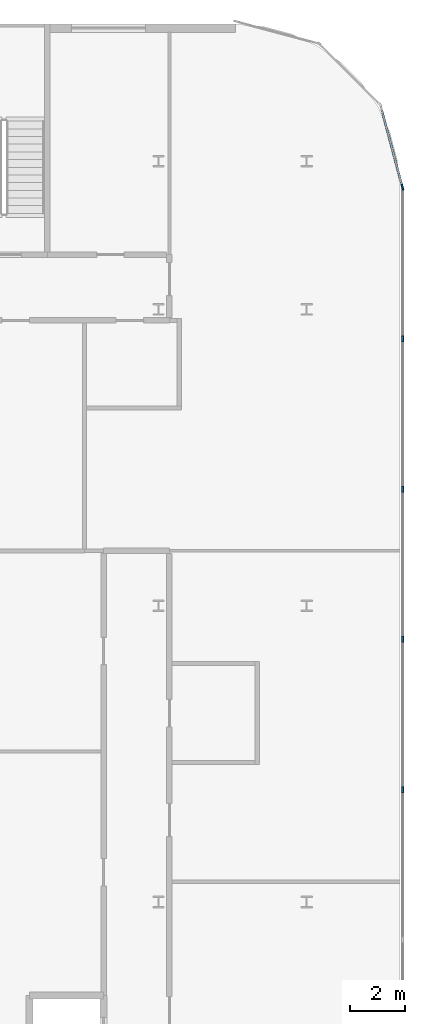
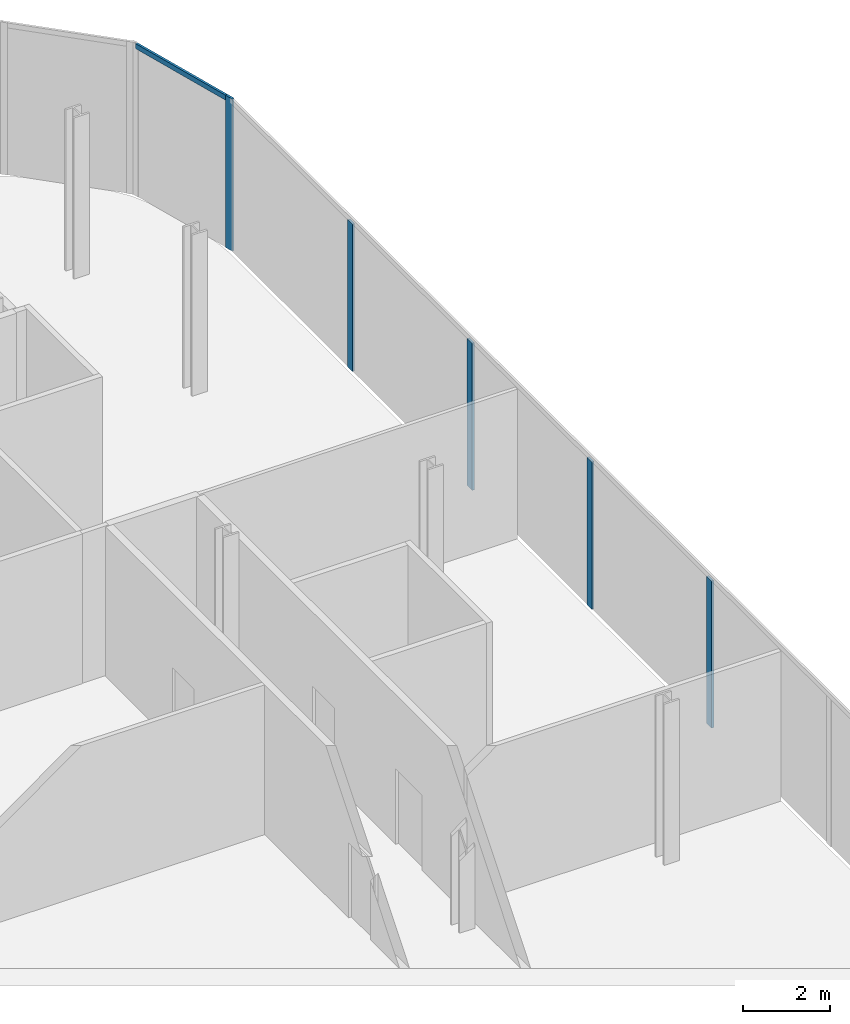
# One storey, part 21 of 47: 6 members, 2 elements without a shape of their own.
"""IFC4 building model written with IfcOpenShell, lengths in metres."""

from ifc_helpers import new_model, si_unit, direction, frame, origin, origin_2d, place, context, subcontext, project, spatial, rectangle, extrude, material, layer, layer_set, material_profile, profile_set, type_object, element, aggregate, save


model = new_model("IFC4")

# Units and contexts
model_context = context("Model", 3, precision=1e-05, world=origin(), true_north=direction((0.0, 1.0)))
body_context = subcontext(model_context, "Body", "Model", "MODEL_VIEW")
ifc_project = project(units=[si_unit("LENGTHUNIT", "METRE"), si_unit("AREAUNIT", "SQUARE_METRE"), si_unit("VOLUMEUNIT", "CUBIC_METRE"), si_unit("PLANEANGLEUNIT", "RADIAN"), si_unit("MASSUNIT", "GRAM", prefix="KILO")], contexts=[model_context])

# Site, building, storey
site_placement = place(None, origin())
site = spatial("IfcSite", under=ifc_project, at=site_placement, CompositionType="ELEMENT")
building_placement = place(site_placement, origin())
building = spatial("IfcBuilding", under=site, at=building_placement, Name="Kheshtan School and Residences Tower", CompositionType="ELEMENT")
storey_placement = place(building_placement, frame((0.0, 0.0, 17.0)))
storey = spatial("IfcBuildingStorey", under=building, at=storey_placement, Name="L03", CompositionType="ELEMENT", Elevation=17.0)

# Curtain wall, member
ifc_material_1 = material(Name="Clear low-e glass in thermally broken aluminium frame", Category="aluminium")
ifc_layer = layer(ifc_material_1, 0.22509765625)
ifc_layer_set = layer_set([ifc_layer], Name="Curtain wall CW-P")
curtain_wall_type = type_object("IfcCurtainWallType", Name="Curtain wall CW-P", PredefinedType="NOTDEFINED", material=ifc_layer_set)
curtain_wall_1_placement = place(storey_placement, origin())
curtain_wall_1 = element("IfcCurtainWall", 1, at=curtain_wall_1_placement, inside=storey, type_object=curtain_wall_type, Name="Curtain wall CWP7a", PredefinedType="NOTDEFINED")
ifc_material_2 = material(Name="Thermally broken aluminium, dark bronze anodised", Category="aluminium")
ifc_material_profile_1 = material_profile(ifc_material_2, rectangle(XDim=0.06005859375, YDim=0.22509765625, at=origin_2d()), Name="CW-P mullion 60x225")
ifc_profile_set_1 = profile_set([ifc_material_profile_1], Name="Thermally broken aluminium, dark bronze anodised")
member_type_1 = type_object("IfcMemberType", Name="CW-P mullion 60x225", PredefinedType="MULLION", material=ifc_profile_set_1)
member_1_placement = place(storey_placement, frame((132.0888671875, 104.054931640625, 0.0), z_axis=(0.0, 0.0, 1.0), x_axis=(0.965913556273, 0.258864833085, 0.0)))
member_1 = element("IfcMember", 2, at=member_1_placement, type_object=member_type_1, Name="CWP7a mullion 2", PredefinedType="MULLION", context=body_context, shape_type="SweptSolid", body=[
    extrude(rectangle(XDim=0.06005859375, YDim=0.22509765625, at=origin_2d()), origin(), (0.0, 0.0, 1.0), 4.25),
])

# Curtain wall, members
curtain_wall_2_placement = place(storey_placement, origin())
curtain_wall_2 = element("IfcCurtainWall", 3, at=curtain_wall_2_placement, inside=storey, type_object=curtain_wall_type, Name="Curtain wall CWP8a", PredefinedType="NOTDEFINED")
member_2_placement = place(storey_placement, frame((132.10009765625, 98.5244140625, 0.0), z_axis=(0.0, 0.0, 1.0), x_axis=(1.0, 0.0, 0.0)))
member_2 = element("IfcMember", 4, at=member_2_placement, type_object=member_type_1, Name="CWP8a mullion 2", PredefinedType="MULLION", context=body_context, shape_type="SweptSolid", body=[
    extrude(rectangle(XDim=0.06005859375, YDim=0.22509765625, at=origin_2d()), origin(), (0.0, 0.0, 1.0), 4.110107421875),
])
member_3_placement = place(storey_placement, frame((132.10009765625, 93.048828125, 0.0), z_axis=(0.0, 0.0, 1.0), x_axis=(1.0, 0.0, 0.0)))
member_3 = element("IfcMember", 5, at=member_3_placement, type_object=member_type_1, Name="CWP8a mullion 3", PredefinedType="MULLION", context=body_context, shape_type="SweptSolid", body=[
    extrude(rectangle(XDim=0.06005859375, YDim=0.22509765625, at=origin_2d()), origin(), (0.0, 0.0, 1.0), 4.110107421875),
])
member_4_placement = place(storey_placement, frame((132.10009765625, 87.5732421875, 0.0), z_axis=(0.0, 0.0, 1.0), x_axis=(1.0, 0.0, 0.0)))
member_4 = element("IfcMember", 6, at=member_4_placement, type_object=member_type_1, Name="CWP8a mullion 4", PredefinedType="MULLION", context=body_context, shape_type="SweptSolid", body=[
    extrude(rectangle(XDim=0.06005859375, YDim=0.22509765625, at=origin_2d()), origin(), (0.0, 0.0, 1.0), 4.110107421875),
])
member_5_placement = place(storey_placement, frame((132.10009765625, 82.09765625, 0.0), z_axis=(0.0, 0.0, 1.0), x_axis=(1.0, 0.0, 0.0)))
member_5 = element("IfcMember", 7, at=member_5_placement, type_object=member_type_1, Name="CWP8a mullion 5", PredefinedType="MULLION", context=body_context, shape_type="SweptSolid", body=[
    extrude(rectangle(XDim=0.06005859375, YDim=0.22509765625, at=origin_2d()), origin(), (0.0, 0.0, 1.0), 4.110107421875),
])
aggregate(curtain_wall_2, [member_2, member_3, member_4, member_5])

# Member
ifc_material_profile_2 = material_profile(ifc_material_2, rectangle(XDim=0.06005859375, YDim=0.139892578125, at=origin_2d()), Name="CW-P transom 60x140")
ifc_profile_set_2 = profile_set([ifc_material_profile_2], Name="Thermally broken aluminium, dark bronze anodised")
member_type_2 = type_object("IfcMemberType", Name="CW-P transom 60x140", PredefinedType="USERDEFINED", material=ifc_profile_set_2)
member_6_placement = place(storey_placement, frame((131.30810546875, 106.968017578125, 4.179931640625), z_axis=(0.258853238275, -0.965916663607, 0.0), x_axis=(0.965916663607, 0.258853238275, 0.0)))
member_6 = element("IfcMember", 8, at=member_6_placement, type_object=member_type_2, Name="CWP7a transom 1", ObjectType="TRANSOM", PredefinedType="USERDEFINED", context=body_context, shape_type="SweptSolid", body=[
    extrude(rectangle(XDim=0.06005859375, YDim=0.139892578125, at=origin_2d()), origin(), (0.0, 0.0, 1.0), 2.986083984375),
])

aggregate(curtain_wall_1, [member_1, member_6])

save(model, "model.ifc")
